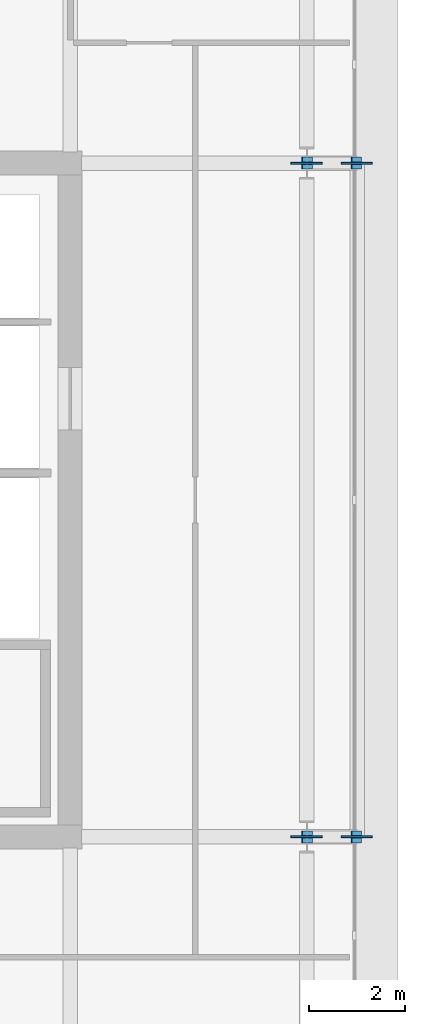
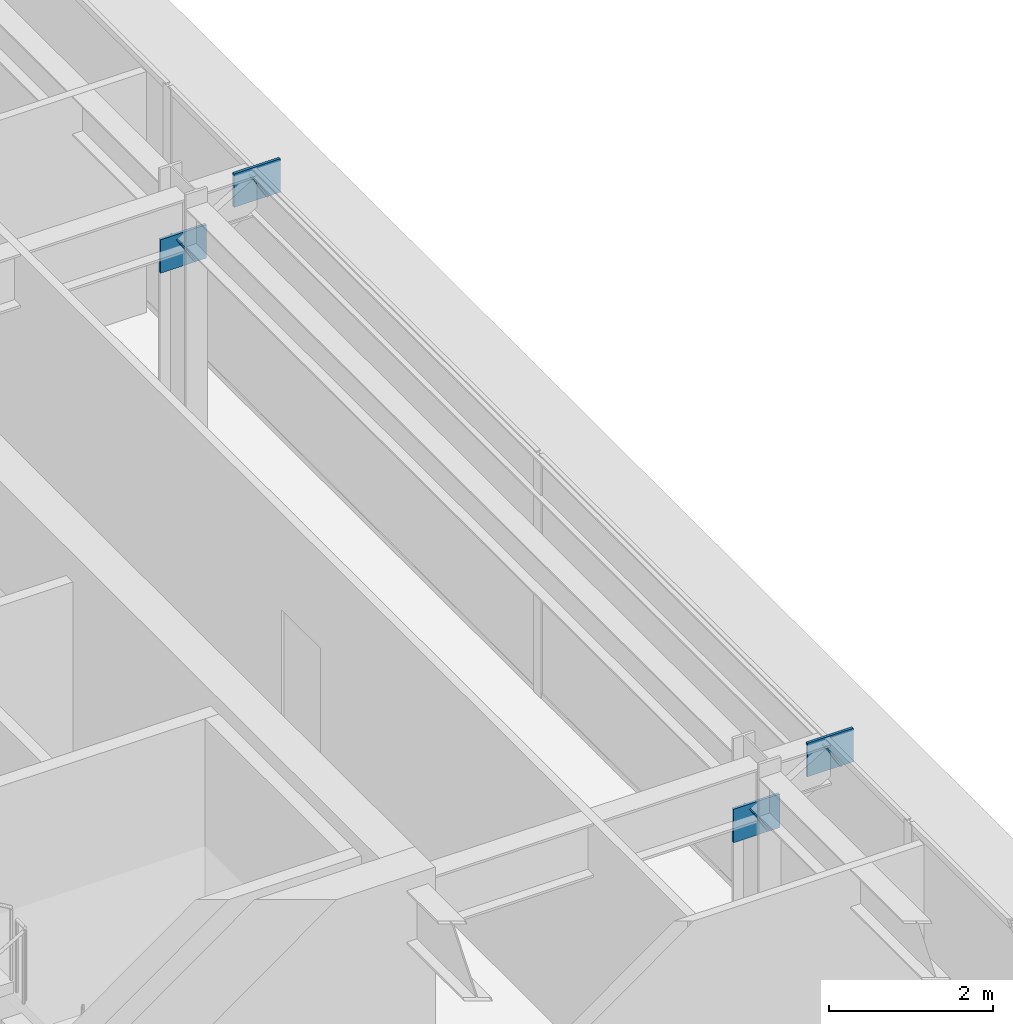
# One storey, part 11 of 19: 8 plates.
"""IFC4 building model written with IfcOpenShell, lengths in metres."""

from ifc_helpers import new_model, si_unit, direction, frame, origin, origin_2d, place, context, subcontext, project, spatial, rectangle, extrude, material, layer, layer_set, type_object, element, save


model = new_model("IFC4")

# Units and contexts
model_context = context("Model", 3, precision=1e-05, world=origin(), true_north=direction((0.0, 1.0)))
body_context = subcontext(model_context, "Body", "Model", "MODEL_VIEW")
ifc_project = project(units=[si_unit("LENGTHUNIT", "METRE"), si_unit("AREAUNIT", "SQUARE_METRE"), si_unit("VOLUMEUNIT", "CUBIC_METRE"), si_unit("PLANEANGLEUNIT", "RADIAN"), si_unit("MASSUNIT", "GRAM", prefix="KILO")], contexts=[model_context])

# Site, building, storey
site_placement = place(None, origin())
site = spatial("IfcSite", under=ifc_project, at=site_placement, CompositionType="ELEMENT")
building_placement = place(site_placement, origin())
building = spatial("IfcBuilding", under=site, at=building_placement, Name="Putna Gate Headquarters", CompositionType="ELEMENT")
storey_placement = place(building_placement, frame((0.0, 0.0, 263.199951171875)))
storey = spatial("IfcBuildingStorey", under=building, at=storey_placement, Name="L66", CompositionType="ELEMENT", Elevation=263.199951171875)

# Plates
ifc_material_1 = material(Name="Steel S355J2", Category="steel")
ifc_layer_1 = layer(ifc_material_1, 0.02001953125)
ifc_layer_set_1 = layer_set([ifc_layer_1], Name="Steel S355J2")
plate_type_1 = type_object("IfcPlateType", Name="PLT-CAP-EC-R400", PredefinedType="SHEET", material=ifc_layer_set_1)
for number, where, z_axis, x_axis, name in (
    (1, (69.9150390625, 19.0, 2.75), (0.857492925713, 0.0, 0.514495755428), (0.0, 1.0, 0.0), "L66 East Sail Cantilever Raker Y19 End Cap Start"),
    (2, (70.937744140625, 19.0, 3.35791015625), (0.860685098679, 0.0, 0.509137664008), (0.0, 1.0, 0.0), "L66 East Sail Cantilever Raker Y19 End Cap End"),
    (3, (69.9150390625, 33.0, 2.75), (0.857492925713, 0.0, 0.514495755428), (0.0, 1.0, 0.0), "L66 East Sail Cantilever Raker Y33 End Cap Start"),
    (4, (70.937744140625, 33.0, 3.35791015625), (0.860685098679, 0.0, 0.509137664008), (0.0, 1.0, 0.0), "L66 East Sail Cantilever Raker Y33 End Cap End"),
):
    element("IfcPlate", number, at=place(storey_placement, frame(where, z_axis=z_axis, x_axis=x_axis)), inside=storey, type_object=plate_type_1, Name=name, PredefinedType="SHEET", context=body_context, shape_type="SweptSolid", body=[
        extrude(rectangle(XDim=0.25, YDim=0.39990234375, at=origin_2d()), origin(), (0.0, 0.0, 1.0), 0.02001953125),
    ])
ifc_material_2 = material(Name="Steel S460M", Category="steel")
ifc_layer_2 = layer(ifc_material_2, 0.0380859375)
ifc_layer_set_2 = layer_set([ifc_layer_2], Name="Steel S460M")
plate_type_2 = type_object("IfcPlateType", Name="PLT-NODE-TN1", PredefinedType="SHEET", material=ifc_layer_set_2)
for number, where, z_axis, x_axis, name in (
    (5, (69.9150390625, 19.0, 2.5), (0.0, 0.0, 1.0), (1.0, 0.0, 0.0), "L66 Sail Raker Node Plate TN1 Y19-1"),
    (6, (70.955078125, 19.0, 3.1181640625), (0.0, 0.0, 1.0), (1.0, 0.0, 0.0), "L66 Sail Raker Node Plate TN1 Y19-2"),
    (7, (69.9150390625, 33.0, 2.5), (0.0, 0.0, 1.0), (1.0, 0.0, 0.0), "L66 Sail Raker Node Plate TN1 Y33-1"),
    (8, (70.955078125, 33.0, 3.1181640625), (0.0, 0.0, 1.0), (1.0, 0.0, 0.0), "L66 Sail Raker Node Plate TN1 Y33-2"),
):
    element("IfcPlate", number, at=place(storey_placement, frame(where, z_axis=z_axis, x_axis=x_axis)), inside=storey, type_object=plate_type_2, Name=name, PredefinedType="SHEET", context=body_context, shape_type="SweptSolid", body=[
        extrude(rectangle(XDim=0.64990234375, YDim=0.0380859375, at=origin_2d()), origin(), (0.0, 0.0, 1.0), 0.5),
    ])

save(model, "model.ifc")
